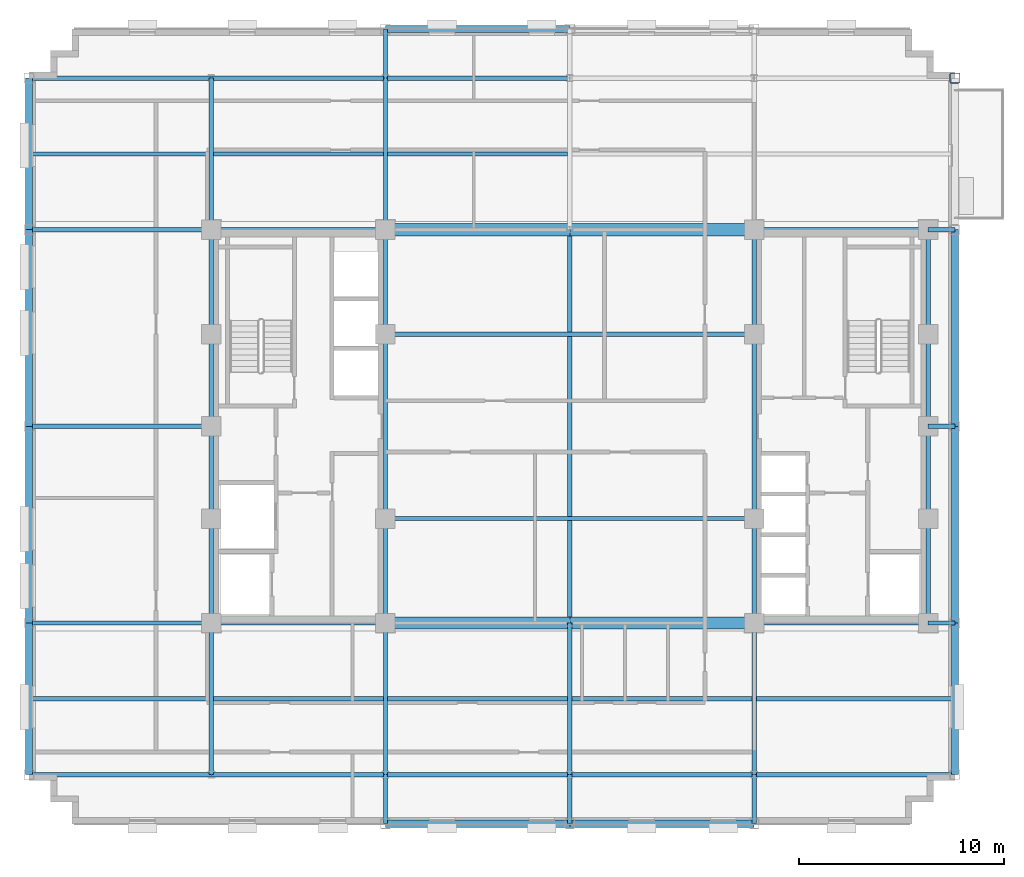
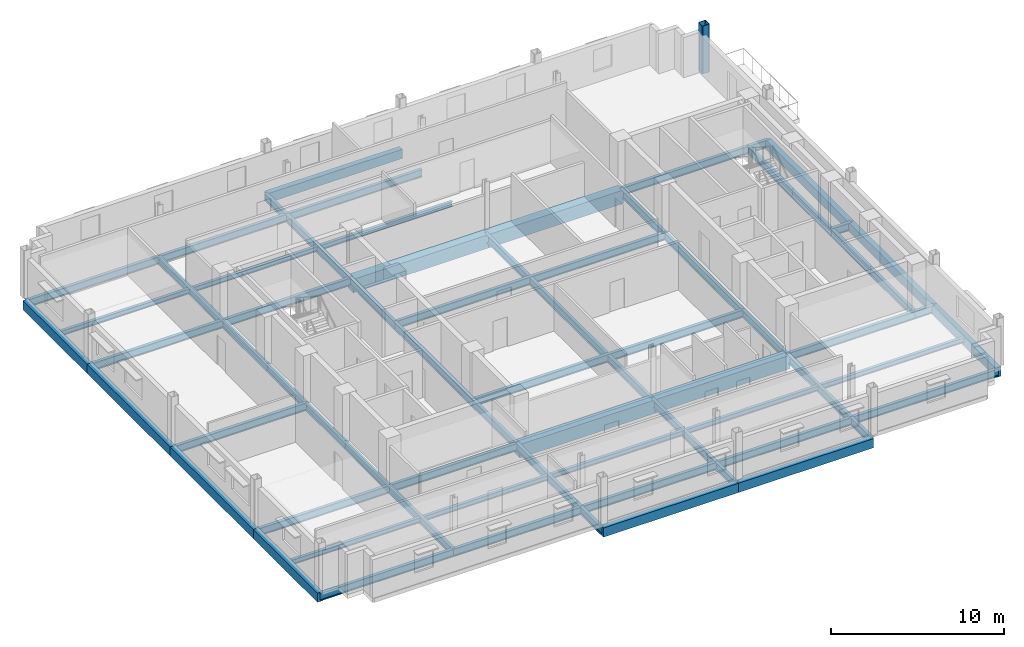
# One storey, part 4 of 13: 67 beams, 1 column.
"""IFC4 building model written with IfcOpenShell, lengths in metres."""

from ifc_helpers import new_model, si_unit, direction, frame, origin, origin_2d, place, context, subcontext, project, spatial, rectangle, hollow_rectangle, i_section, extrude, material, material_profile, profile_set, type_object, element, save


model = new_model("IFC4")

# Units and contexts
model_context = context("Model", 3, precision=1e-05, world=origin(), true_north=direction((0.0, 1.0)))
body_context = subcontext(model_context, "Body", "Model", "MODEL_VIEW")
ifc_project = project(units=[si_unit("LENGTHUNIT", "METRE"), si_unit("AREAUNIT", "SQUARE_METRE"), si_unit("VOLUMEUNIT", "CUBIC_METRE"), si_unit("PLANEANGLEUNIT", "RADIAN"), si_unit("MASSUNIT", "GRAM", prefix="KILO")], contexts=[model_context])

# Site, building, storey
site_placement = place(None, origin())
site = spatial("IfcSite", under=ifc_project, at=site_placement, CompositionType="ELEMENT")
building_placement = place(site_placement, origin())
building = spatial("IfcBuilding", under=site, at=building_placement, Name="Nuvemarco Arch Tower", CompositionType="ELEMENT")
storey_placement = place(building_placement, frame((0.0, 0.0, 220.10009765625)))
storey = spatial("IfcBuildingStorey", under=building, at=storey_placement, Name="L58", CompositionType="ELEMENT", Elevation=220.10009765625)

# Column
ifc_material_1 = material(Name="Steel S355", Category="steel")
ifc_material_profile_1 = material_profile(ifc_material_1, hollow_rectangle(XDim=0.5, YDim=0.5, WallThickness=0.031982421875, InnerFilletRadius=0.031982421875, OuterFilletRadius=0.06396484375, at=origin_2d()), Name="SHS500x500x32")
ifc_profile_set_1 = profile_set([ifc_material_profile_1], Name="Steel S355")
column_type = type_object("IfcColumnType", Name="COL-EXO-500", PredefinedType="COLUMN", material=ifc_profile_set_1)
column_placement = place(storey_placement, frame((18.800048828125, 17.0, 0.0), z_axis=(0.0, 0.0, 1.0), x_axis=(1.0, 0.0, 0.0)))
element("IfcColumn", 1, at=column_placement, inside=storey, type_object=column_type, Name="L58 column CX_+18.8_+17.0", PredefinedType="COLUMN", context=body_context, shape_type="SweptSolid", body=[
    extrude(hollow_rectangle(XDim=0.5, YDim=0.5, WallThickness=0.031982421875, InnerFilletRadius=0.031982421875, OuterFilletRadius=0.06396484375, at=origin_2d()), origin(), (0.0, 0.0, 1.0), 3.369873046875),
])

# Beams
ifc_material_2 = material(Name="Concrete C60/75", Category="concrete")
ifc_material_profile_2 = material_profile(ifc_material_2, rectangle(XDim=0.60009765625, YDim=0.949951171875, at=origin_2d()), Name="RC-BM-600x950")
ifc_profile_set_2 = profile_set([ifc_material_profile_2], Name="Concrete C60/75")
beam_type_1 = type_object("IfcBeamType", Name="BM-COUP-RC", PredefinedType="LINTEL", material=ifc_profile_set_2)
for number, where, z_axis, x_axis, name in (
    (2, (-9.0, -9.60009765625, -0.755126953125), (1.0, 0.0, 0.0), (0.0, 1.0, 0.0), "L58 structural beam BGEW_L58_0_-9.6_-9.0"),
    (3, (0.0, -9.60009765625, -0.755126953125), (1.0, 0.0, 0.0), (0.0, 1.0, 0.0), "L58 structural beam BGEW_L58_0_-9.6_+0.0"),
    (4, (-9.0, 9.60009765625, -0.755126953125), (1.0, 0.0, 0.0), (0.0, 1.0, 0.0), "L58 structural beam BGEW_L58_0_+9.6_-9.0"),
    (5, (0.0, 9.60009765625, -0.755126953125), (1.0, 0.0, 0.0), (0.0, 1.0, 0.0), "L58 structural beam BGEW_L58_0_+9.6_+0.0"),
):
    element("IfcBeam", number, at=place(storey_placement, frame(where, z_axis=z_axis, x_axis=x_axis)), inside=storey, type_object=beam_type_1, Name=name, PredefinedType="LINTEL", context=body_context, shape_type="SweptSolid", body=[
        extrude(rectangle(XDim=0.60009765625, YDim=0.949951171875, at=origin_2d()), origin(), (0.0, 0.0, 1.0), 9.0),
    ])
ifc_material_profile_3 = material_profile(ifc_material_1, i_section(OverallWidth=0.2109375, OverallDepth=0.5390625, WebThickness=0.01171875, FlangeThickness=0.018798828125, FilletRadius=0.01611328125, at=origin_2d()), Name="W530x109")
ifc_profile_set_3 = profile_set([ifc_material_profile_3], Name="Steel S355")
beam_type_2 = type_object("IfcBeamType", Name="BM-GIRD-530", PredefinedType="BEAM", material=ifc_profile_set_3)
beam_1_placement = place(storey_placement, frame((-17.5, -17.0, -0.549560546875), z_axis=(0.0, 1.0, 0.0), x_axis=(-1.0, 0.0, 0.0)))
element("IfcBeam", 6, at=beam_1_placement, inside=storey, type_object=beam_type_2, Name="L58 structural beam BGNS_L58_0_-17.5_-17.0", PredefinedType="BEAM", context=body_context, shape_type="SweptSolid", body=[
    extrude(i_section(OverallWidth=0.2109375, OverallDepth=0.5390625, WebThickness=0.01171875, FlangeThickness=0.018798828125, FilletRadius=0.01611328125, at=origin_2d()), origin(), (0.0, 0.0, 1.0), 7.39990234375),
])
beam_2_placement = place(storey_placement, frame((-17.5, -9.60009765625, -0.549560546875), z_axis=(0.0, 1.0, 0.0), x_axis=(-1.0, 0.0, 0.0)))
element("IfcBeam", 7, at=beam_2_placement, inside=storey, type_object=beam_type_2, Name="L58 structural beam BGNS_L58_0_-17.5_-9.6", PredefinedType="BEAM", context=body_context, shape_type="SweptSolid", body=[
    extrude(i_section(OverallWidth=0.2109375, OverallDepth=0.5390625, WebThickness=0.01171875, FlangeThickness=0.018798828125, FilletRadius=0.01611328125, at=origin_2d()), origin(), (0.0, 0.0, 1.0), 5.10009765625),
])
for number, where, z_axis, x_axis, name in (
    (8, (-17.5, -4.5, -0.549560546875), (0.0, 1.0, 0.0), (-1.0, 0.0, 0.0), "L58 structural beam BGNS_L58_0_-17.5_-4.5"),
    (9, (-17.5, 0.0, -0.549560546875), (0.0, 1.0, 0.0), (-1.0, 0.0, 0.0), "L58 structural beam BGNS_L58_0_-17.5_+0.0"),
):
    element("IfcBeam", number, at=place(storey_placement, frame(where, z_axis=z_axis, x_axis=x_axis)), inside=storey, type_object=beam_type_2, Name=name, PredefinedType="BEAM", context=body_context, shape_type="SweptSolid", body=[
        extrude(i_section(OverallWidth=0.2109375, OverallDepth=0.5390625, WebThickness=0.01171875, FlangeThickness=0.018798828125, FilletRadius=0.01611328125, at=origin_2d()), origin(), (0.0, 0.0, 1.0), 4.5),
    ])
beam_3_placement = place(storey_placement, frame((-17.5, 4.5, -0.549560546875), z_axis=(0.0, 1.0, 0.0), x_axis=(-1.0, 0.0, 0.0)))
element("IfcBeam", 10, at=beam_3_placement, inside=storey, type_object=beam_type_2, Name="L58 structural beam BGNS_L58_0_-17.5_+4.5", PredefinedType="BEAM", context=body_context, shape_type="SweptSolid", body=[
    extrude(i_section(OverallWidth=0.2109375, OverallDepth=0.5390625, WebThickness=0.01171875, FlangeThickness=0.018798828125, FilletRadius=0.01611328125, at=origin_2d()), origin(), (0.0, 0.0, 1.0), 5.10009765625),
])
beam_4_placement = place(storey_placement, frame((-17.5, 9.60009765625, -0.549560546875), z_axis=(0.0, 1.0, 0.0), x_axis=(-1.0, 0.0, 0.0)))
element("IfcBeam", 11, at=beam_4_placement, inside=storey, type_object=beam_type_2, Name="L58 structural beam BGNS_L58_0_-17.5_+9.6", PredefinedType="BEAM", context=body_context, shape_type="SweptSolid", body=[
    extrude(i_section(OverallWidth=0.2109375, OverallDepth=0.5390625, WebThickness=0.01171875, FlangeThickness=0.018798828125, FilletRadius=0.01611328125, at=origin_2d()), origin(), (0.0, 0.0, 1.0), 7.39990234375),
])
beam_5_placement = place(storey_placement, frame((-9.0, -19.39990234375, -0.549560546875), z_axis=(0.0, 1.0, 0.0), x_axis=(-1.0, 0.0, 0.0)))
element("IfcBeam", 12, at=beam_5_placement, inside=storey, type_object=beam_type_2, Name="L58 structural beam BGNS_L58_0_-9.0_-19.4", PredefinedType="BEAM", context=body_context, shape_type="SweptSolid", body=[
    extrude(i_section(OverallWidth=0.2109375, OverallDepth=0.5390625, WebThickness=0.01171875, FlangeThickness=0.018798828125, FilletRadius=0.01611328125, at=origin_2d()), origin(), (0.0, 0.0, 1.0), 2.39990234375),
])
beam_6_placement = place(storey_placement, frame((-9.0, -17.0, -0.549560546875), z_axis=(0.0, 1.0, 0.0), x_axis=(-1.0, 0.0, 0.0)))
element("IfcBeam", 13, at=beam_6_placement, inside=storey, type_object=beam_type_2, Name="L58 structural beam BGNS_L58_0_-9.0_-17.0", PredefinedType="BEAM", context=body_context, shape_type="SweptSolid", body=[
    extrude(i_section(OverallWidth=0.2109375, OverallDepth=0.5390625, WebThickness=0.01171875, FlangeThickness=0.018798828125, FilletRadius=0.01611328125, at=origin_2d()), origin(), (0.0, 0.0, 1.0), 7.39990234375),
])
beam_7_placement = place(storey_placement, frame((-9.0, -9.60009765625, -0.549560546875), z_axis=(0.0, 1.0, 0.0), x_axis=(-1.0, 0.0, 0.0)))
element("IfcBeam", 14, at=beam_7_placement, inside=storey, type_object=beam_type_2, Name="L58 structural beam BGNS_L58_0_-9.0_-9.6", PredefinedType="BEAM", context=body_context, shape_type="SweptSolid", body=[
    extrude(i_section(OverallWidth=0.2109375, OverallDepth=0.5390625, WebThickness=0.01171875, FlangeThickness=0.018798828125, FilletRadius=0.01611328125, at=origin_2d()), origin(), (0.0, 0.0, 1.0), 5.10009765625),
])
beam_8_placement = place(storey_placement, frame((-9.0, -4.5, -0.549560546875), z_axis=(0.0, 1.0, 0.0), x_axis=(-1.0, 0.0, 0.0)))
element("IfcBeam", 15, at=beam_8_placement, inside=storey, type_object=beam_type_2, Name="L58 structural beam BGNS_L58_0_-9.0_-4.5", PredefinedType="BEAM", context=body_context, shape_type="SweptSolid", body=[
    extrude(i_section(OverallWidth=0.2109375, OverallDepth=0.5390625, WebThickness=0.01171875, FlangeThickness=0.018798828125, FilletRadius=0.01611328125, at=origin_2d()), origin(), (0.0, 0.0, 1.0), 9.0),
])
beam_9_placement = place(storey_placement, frame((-9.0, 4.5, -0.549560546875), z_axis=(0.0, 1.0, 0.0), x_axis=(-1.0, 0.0, 0.0)))
element("IfcBeam", 16, at=beam_9_placement, inside=storey, type_object=beam_type_2, Name="L58 structural beam BGNS_L58_0_-9.0_+4.5", PredefinedType="BEAM", context=body_context, shape_type="SweptSolid", body=[
    extrude(i_section(OverallWidth=0.2109375, OverallDepth=0.5390625, WebThickness=0.01171875, FlangeThickness=0.018798828125, FilletRadius=0.01611328125, at=origin_2d()), origin(), (0.0, 0.0, 1.0), 5.10009765625),
])
beam_10_placement = place(storey_placement, frame((-9.0, 9.60009765625, -0.549560546875), z_axis=(0.0, 1.0, 0.0), x_axis=(-1.0, 0.0, 0.0)))
element("IfcBeam", 17, at=beam_10_placement, inside=storey, type_object=beam_type_2, Name="L58 structural beam BGNS_L58_0_-9.0_+9.6", PredefinedType="BEAM", context=body_context, shape_type="SweptSolid", body=[
    extrude(i_section(OverallWidth=0.2109375, OverallDepth=0.5390625, WebThickness=0.01171875, FlangeThickness=0.018798828125, FilletRadius=0.01611328125, at=origin_2d()), origin(), (0.0, 0.0, 1.0), 7.39990234375),
])
for number, where, z_axis, x_axis, name in (
    (18, (-9.0, 17.0, -0.549560546875), (0.0, 1.0, 0.0), (-1.0, 0.0, 0.0), "L58 structural beam BGNS_L58_0_-9.0_+17.0"),
    (19, (0.0, -19.39990234375, -0.549560546875), (0.0, 1.0, 0.0), (-1.0, 0.0, 0.0), "L58 structural beam BGNS_L58_0_+0.0_-19.4"),
):
    element("IfcBeam", number, at=place(storey_placement, frame(where, z_axis=z_axis, x_axis=x_axis)), inside=storey, type_object=beam_type_2, Name=name, PredefinedType="BEAM", context=body_context, shape_type="SweptSolid", body=[
        extrude(i_section(OverallWidth=0.2109375, OverallDepth=0.5390625, WebThickness=0.01171875, FlangeThickness=0.018798828125, FilletRadius=0.01611328125, at=origin_2d()), origin(), (0.0, 0.0, 1.0), 2.39990234375),
    ])
beam_11_placement = place(storey_placement, frame((0.0, -17.0, -0.549560546875), z_axis=(0.0, 1.0, 0.0), x_axis=(-1.0, 0.0, 0.0)))
element("IfcBeam", 20, at=beam_11_placement, inside=storey, type_object=beam_type_2, Name="L58 structural beam BGNS_L58_0_+0.0_-17.0", PredefinedType="BEAM", context=body_context, shape_type="SweptSolid", body=[
    extrude(i_section(OverallWidth=0.2109375, OverallDepth=0.5390625, WebThickness=0.01171875, FlangeThickness=0.018798828125, FilletRadius=0.01611328125, at=origin_2d()), origin(), (0.0, 0.0, 1.0), 7.39990234375),
])
beam_12_placement = place(storey_placement, frame((0.0, -9.60009765625, -0.549560546875), z_axis=(0.0, 1.0, 0.0), x_axis=(-1.0, 0.0, 0.0)))
element("IfcBeam", 21, at=beam_12_placement, inside=storey, type_object=beam_type_2, Name="L58 structural beam BGNS_L58_0_+0.0_-9.6", PredefinedType="BEAM", context=body_context, shape_type="SweptSolid", body=[
    extrude(i_section(OverallWidth=0.2109375, OverallDepth=0.5390625, WebThickness=0.01171875, FlangeThickness=0.018798828125, FilletRadius=0.01611328125, at=origin_2d()), origin(), (0.0, 0.0, 1.0), 19.2001953125),
])
beam_13_placement = place(storey_placement, frame((9.0, -19.39990234375, -0.549560546875), z_axis=(0.0, 1.0, 0.0), x_axis=(-1.0, 0.0, 0.0)))
element("IfcBeam", 22, at=beam_13_placement, inside=storey, type_object=beam_type_2, Name="L58 structural beam BGNS_L58_0_+9.0_-19.4", PredefinedType="BEAM", context=body_context, shape_type="SweptSolid", body=[
    extrude(i_section(OverallWidth=0.2109375, OverallDepth=0.5390625, WebThickness=0.01171875, FlangeThickness=0.018798828125, FilletRadius=0.01611328125, at=origin_2d()), origin(), (0.0, 0.0, 1.0), 2.39990234375),
])
beam_14_placement = place(storey_placement, frame((9.0, -17.0, -0.549560546875), z_axis=(0.0, 1.0, 0.0), x_axis=(-1.0, 0.0, 0.0)))
element("IfcBeam", 23, at=beam_14_placement, inside=storey, type_object=beam_type_2, Name="L58 structural beam BGNS_L58_0_+9.0_-17.0", PredefinedType="BEAM", context=body_context, shape_type="SweptSolid", body=[
    extrude(i_section(OverallWidth=0.2109375, OverallDepth=0.5390625, WebThickness=0.01171875, FlangeThickness=0.018798828125, FilletRadius=0.01611328125, at=origin_2d()), origin(), (0.0, 0.0, 1.0), 7.39990234375),
])
beam_15_placement = place(storey_placement, frame((9.0, -9.60009765625, -0.549560546875), z_axis=(0.0, 1.0, 0.0), x_axis=(-1.0, 0.0, 0.0)))
element("IfcBeam", 24, at=beam_15_placement, inside=storey, type_object=beam_type_2, Name="L58 structural beam BGNS_L58_0_+9.0_-9.6", PredefinedType="BEAM", context=body_context, shape_type="SweptSolid", body=[
    extrude(i_section(OverallWidth=0.2109375, OverallDepth=0.5390625, WebThickness=0.01171875, FlangeThickness=0.018798828125, FilletRadius=0.01611328125, at=origin_2d()), origin(), (0.0, 0.0, 1.0), 5.10009765625),
])
beam_16_placement = place(storey_placement, frame((9.0, -4.5, -0.549560546875), z_axis=(0.0, 1.0, 0.0), x_axis=(-1.0, 0.0, 0.0)))
element("IfcBeam", 25, at=beam_16_placement, inside=storey, type_object=beam_type_2, Name="L58 structural beam BGNS_L58_0_+9.0_-4.5", PredefinedType="BEAM", context=body_context, shape_type="SweptSolid", body=[
    extrude(i_section(OverallWidth=0.2109375, OverallDepth=0.5390625, WebThickness=0.01171875, FlangeThickness=0.018798828125, FilletRadius=0.01611328125, at=origin_2d()), origin(), (0.0, 0.0, 1.0), 9.0),
])
for number, where, z_axis, x_axis, name in (
    (26, (9.0, 4.5, -0.549560546875), (0.0, 1.0, 0.0), (-1.0, 0.0, 0.0), "L58 structural beam BGNS_L58_0_+9.0_+4.5"),
    (27, (17.5, -9.60009765625, -0.549560546875), (0.0, 1.0, 0.0), (-1.0, 0.0, 0.0), "L58 structural beam BGNS_L58_0_+17.5_-9.6"),
):
    element("IfcBeam", number, at=place(storey_placement, frame(where, z_axis=z_axis, x_axis=x_axis)), inside=storey, type_object=beam_type_2, Name=name, PredefinedType="BEAM", context=body_context, shape_type="SweptSolid", body=[
        extrude(i_section(OverallWidth=0.2109375, OverallDepth=0.5390625, WebThickness=0.01171875, FlangeThickness=0.018798828125, FilletRadius=0.01611328125, at=origin_2d()), origin(), (0.0, 0.0, 1.0), 5.10009765625),
    ])
for number, where, z_axis, x_axis, name in (
    (28, (17.5, -4.5, -0.549560546875), (0.0, 1.0, 0.0), (-1.0, 0.0, 0.0), "L58 structural beam BGNS_L58_0_+17.5_-4.5"),
    (29, (17.5, 0.0, -0.549560546875), (0.0, 1.0, 0.0), (-1.0, 0.0, 0.0), "L58 structural beam BGNS_L58_0_+17.5_+0.0"),
):
    element("IfcBeam", number, at=place(storey_placement, frame(where, z_axis=z_axis, x_axis=x_axis)), inside=storey, type_object=beam_type_2, Name=name, PredefinedType="BEAM", context=body_context, shape_type="SweptSolid", body=[
        extrude(i_section(OverallWidth=0.2109375, OverallDepth=0.5390625, WebThickness=0.01171875, FlangeThickness=0.018798828125, FilletRadius=0.01611328125, at=origin_2d()), origin(), (0.0, 0.0, 1.0), 4.5),
    ])
beam_17_placement = place(storey_placement, frame((17.5, 4.5, -0.549560546875), z_axis=(0.0, 1.0, 0.0), x_axis=(-1.0, 0.0, 0.0)))
element("IfcBeam", 30, at=beam_17_placement, inside=storey, type_object=beam_type_2, Name="L58 structural beam BGNS_L58_0_+17.5_+4.5", PredefinedType="BEAM", context=body_context, shape_type="SweptSolid", body=[
    extrude(i_section(OverallWidth=0.2109375, OverallDepth=0.5390625, WebThickness=0.01171875, FlangeThickness=0.018798828125, FilletRadius=0.01611328125, at=origin_2d()), origin(), (0.0, 0.0, 1.0), 5.10009765625),
])
beam_18_placement = place(storey_placement, frame((-26.39990234375, -17.0, -0.549560546875), z_axis=(1.0, 0.0, 0.0), x_axis=(0.0, 1.0, 0.0)))
element("IfcBeam", 31, at=beam_18_placement, inside=storey, type_object=beam_type_2, Name="L58 structural beam BGEW_L58_0_-17.0_-26.4", PredefinedType="BEAM", context=body_context, shape_type="SweptSolid", body=[
    extrude(i_section(OverallWidth=0.2109375, OverallDepth=0.5390625, WebThickness=0.01171875, FlangeThickness=0.018798828125, FilletRadius=0.01611328125, at=origin_2d()), origin(), (0.0, 0.0, 1.0), 8.89990234375),
])
beam_19_placement = place(storey_placement, frame((-17.5, -17.0, -0.549560546875), z_axis=(1.0, 0.0, 0.0), x_axis=(0.0, 1.0, 0.0)))
element("IfcBeam", 32, at=beam_19_placement, inside=storey, type_object=beam_type_2, Name="L58 structural beam BGEW_L58_0_-17.0_-17.5", PredefinedType="BEAM", context=body_context, shape_type="SweptSolid", body=[
    extrude(i_section(OverallWidth=0.2109375, OverallDepth=0.5390625, WebThickness=0.01171875, FlangeThickness=0.018798828125, FilletRadius=0.01611328125, at=origin_2d()), origin(), (0.0, 0.0, 1.0), 8.5),
])
for number, where, z_axis, x_axis, name in (
    (33, (-9.0, -17.0, -0.549560546875), (1.0, 0.0, 0.0), (0.0, 1.0, 0.0), "L58 structural beam BGEW_L58_0_-17.0_-9.0"),
    (34, (0.0, -17.0, -0.549560546875), (1.0, 0.0, 0.0), (0.0, 1.0, 0.0), "L58 structural beam BGEW_L58_0_-17.0_+0.0"),
):
    element("IfcBeam", number, at=place(storey_placement, frame(where, z_axis=z_axis, x_axis=x_axis)), inside=storey, type_object=beam_type_2, Name=name, PredefinedType="BEAM", context=body_context, shape_type="SweptSolid", body=[
        extrude(i_section(OverallWidth=0.2109375, OverallDepth=0.5390625, WebThickness=0.01171875, FlangeThickness=0.018798828125, FilletRadius=0.01611328125, at=origin_2d()), origin(), (0.0, 0.0, 1.0), 9.0),
    ])
beam_20_placement = place(storey_placement, frame((9.0, -17.0, -0.549560546875), z_axis=(1.0, 0.0, 0.0), x_axis=(0.0, 1.0, 0.0)))
element("IfcBeam", 35, at=beam_20_placement, inside=storey, type_object=beam_type_2, Name="L58 structural beam BGEW_L58_0_-17.0_+9.0", PredefinedType="BEAM", context=body_context, shape_type="SweptSolid", body=[
    extrude(i_section(OverallWidth=0.2109375, OverallDepth=0.5390625, WebThickness=0.01171875, FlangeThickness=0.018798828125, FilletRadius=0.01611328125, at=origin_2d()), origin(), (0.0, 0.0, 1.0), 9.800048828125),
])
beam_21_placement = place(storey_placement, frame((-26.39990234375, -9.60009765625, -0.549560546875), z_axis=(1.0, 0.0, 0.0), x_axis=(0.0, 1.0, 0.0)))
element("IfcBeam", 36, at=beam_21_placement, inside=storey, type_object=beam_type_2, Name="L58 structural beam BGEW_L58_0_-9.6_-26.4", PredefinedType="BEAM", context=body_context, shape_type="SweptSolid", body=[
    extrude(i_section(OverallWidth=0.2109375, OverallDepth=0.5390625, WebThickness=0.01171875, FlangeThickness=0.018798828125, FilletRadius=0.01611328125, at=origin_2d()), origin(), (0.0, 0.0, 1.0), 8.89990234375),
])
for number, where, z_axis, x_axis, name in (
    (37, (-17.5, -9.60009765625, -0.549560546875), (1.0, 0.0, 0.0), (0.0, 1.0, 0.0), "L58 structural beam BGEW_L58_0_-9.6_-17.5"),
    (38, (9.0, -9.60009765625, -0.549560546875), (1.0, 0.0, 0.0), (0.0, 1.0, 0.0), "L58 structural beam BGEW_L58_0_-9.6_+9.0"),
):
    element("IfcBeam", number, at=place(storey_placement, frame(where, z_axis=z_axis, x_axis=x_axis)), inside=storey, type_object=beam_type_2, Name=name, PredefinedType="BEAM", context=body_context, shape_type="SweptSolid", body=[
        extrude(i_section(OverallWidth=0.2109375, OverallDepth=0.5390625, WebThickness=0.01171875, FlangeThickness=0.018798828125, FilletRadius=0.01611328125, at=origin_2d()), origin(), (0.0, 0.0, 1.0), 8.5),
    ])
beam_22_placement = place(storey_placement, frame((17.5, -9.60009765625, -0.549560546875), z_axis=(1.0, 0.0, 0.0), x_axis=(0.0, 1.0, 0.0)))
element("IfcBeam", 39, at=beam_22_placement, inside=storey, type_object=beam_type_2, Name="L58 structural beam BGEW_L58_0_-9.6_+17.5", PredefinedType="BEAM", context=body_context, shape_type="SweptSolid", body=[
    extrude(i_section(OverallWidth=0.2109375, OverallDepth=0.5390625, WebThickness=0.01171875, FlangeThickness=0.018798828125, FilletRadius=0.01611328125, at=origin_2d()), origin(), (0.0, 0.0, 1.0), 1.300048828125),
])
beam_23_placement = place(storey_placement, frame((-9.0, -4.5, -0.549560546875), z_axis=(1.0, 0.0, 0.0), x_axis=(0.0, 1.0, 0.0)))
element("IfcBeam", 40, at=beam_23_placement, inside=storey, type_object=beam_type_2, Name="L58 structural beam BGEW_L58_0_-4.5_-9.0", PredefinedType="BEAM", context=body_context, shape_type="SweptSolid", body=[
    extrude(i_section(OverallWidth=0.2109375, OverallDepth=0.5390625, WebThickness=0.01171875, FlangeThickness=0.018798828125, FilletRadius=0.01611328125, at=origin_2d()), origin(), (0.0, 0.0, 1.0), 18.0),
])
beam_24_placement = place(storey_placement, frame((-26.39990234375, 0.0, -0.549560546875), z_axis=(1.0, 0.0, 0.0), x_axis=(0.0, 1.0, 0.0)))
element("IfcBeam", 41, at=beam_24_placement, inside=storey, type_object=beam_type_2, Name="L58 structural beam BGEW_L58_0_+0.0_-26.4", PredefinedType="BEAM", context=body_context, shape_type="SweptSolid", body=[
    extrude(i_section(OverallWidth=0.2109375, OverallDepth=0.5390625, WebThickness=0.01171875, FlangeThickness=0.018798828125, FilletRadius=0.01611328125, at=origin_2d()), origin(), (0.0, 0.0, 1.0), 8.89990234375),
])
beam_25_placement = place(storey_placement, frame((17.5, 0.0, -0.549560546875), z_axis=(1.0, 0.0, 0.0), x_axis=(0.0, 1.0, 0.0)))
element("IfcBeam", 42, at=beam_25_placement, inside=storey, type_object=beam_type_2, Name="L58 structural beam BGEW_L58_0_+0.0_+17.5", PredefinedType="BEAM", context=body_context, shape_type="SweptSolid", body=[
    extrude(i_section(OverallWidth=0.2109375, OverallDepth=0.5390625, WebThickness=0.01171875, FlangeThickness=0.018798828125, FilletRadius=0.01611328125, at=origin_2d()), origin(), (0.0, 0.0, 1.0), 1.300048828125),
])
beam_26_placement = place(storey_placement, frame((-9.0, 4.5, -0.549560546875), z_axis=(1.0, 0.0, 0.0), x_axis=(0.0, 1.0, 0.0)))
element("IfcBeam", 43, at=beam_26_placement, inside=storey, type_object=beam_type_2, Name="L58 structural beam BGEW_L58_0_+4.5_-9.0", PredefinedType="BEAM", context=body_context, shape_type="SweptSolid", body=[
    extrude(i_section(OverallWidth=0.2109375, OverallDepth=0.5390625, WebThickness=0.01171875, FlangeThickness=0.018798828125, FilletRadius=0.01611328125, at=origin_2d()), origin(), (0.0, 0.0, 1.0), 18.0),
])
beam_27_placement = place(storey_placement, frame((-26.39990234375, 9.60009765625, -0.549560546875), z_axis=(1.0, 0.0, 0.0), x_axis=(0.0, 1.0, 0.0)))
element("IfcBeam", 44, at=beam_27_placement, inside=storey, type_object=beam_type_2, Name="L58 structural beam BGEW_L58_0_+9.6_-26.4", PredefinedType="BEAM", context=body_context, shape_type="SweptSolid", body=[
    extrude(i_section(OverallWidth=0.2109375, OverallDepth=0.5390625, WebThickness=0.01171875, FlangeThickness=0.018798828125, FilletRadius=0.01611328125, at=origin_2d()), origin(), (0.0, 0.0, 1.0), 8.89990234375),
])
for number, where, z_axis, x_axis, name in (
    (45, (-17.5, 9.60009765625, -0.549560546875), (1.0, 0.0, 0.0), (0.0, 1.0, 0.0), "L58 structural beam BGEW_L58_0_+9.6_-17.5"),
    (46, (9.0, 9.60009765625, -0.549560546875), (1.0, 0.0, 0.0), (0.0, 1.0, 0.0), "L58 structural beam BGEW_L58_0_+9.6_+9.0"),
):
    element("IfcBeam", number, at=place(storey_placement, frame(where, z_axis=z_axis, x_axis=x_axis)), inside=storey, type_object=beam_type_2, Name=name, PredefinedType="BEAM", context=body_context, shape_type="SweptSolid", body=[
        extrude(i_section(OverallWidth=0.2109375, OverallDepth=0.5390625, WebThickness=0.01171875, FlangeThickness=0.018798828125, FilletRadius=0.01611328125, at=origin_2d()), origin(), (0.0, 0.0, 1.0), 8.5),
    ])
beam_28_placement = place(storey_placement, frame((17.5, 9.60009765625, -0.549560546875), z_axis=(1.0, 0.0, 0.0), x_axis=(0.0, 1.0, 0.0)))
element("IfcBeam", 47, at=beam_28_placement, inside=storey, type_object=beam_type_2, Name="L58 structural beam BGEW_L58_0_+9.6_+17.5", PredefinedType="BEAM", context=body_context, shape_type="SweptSolid", body=[
    extrude(i_section(OverallWidth=0.2109375, OverallDepth=0.5390625, WebThickness=0.01171875, FlangeThickness=0.018798828125, FilletRadius=0.01611328125, at=origin_2d()), origin(), (0.0, 0.0, 1.0), 1.300048828125),
])
beam_29_placement = place(storey_placement, frame((-26.39990234375, 17.0, -0.549560546875), z_axis=(1.0, 0.0, 0.0), x_axis=(0.0, 1.0, 0.0)))
element("IfcBeam", 48, at=beam_29_placement, inside=storey, type_object=beam_type_2, Name="L58 structural beam BGEW_L58_0_+17.0_-26.4", PredefinedType="BEAM", context=body_context, shape_type="SweptSolid", body=[
    extrude(i_section(OverallWidth=0.2109375, OverallDepth=0.5390625, WebThickness=0.01171875, FlangeThickness=0.018798828125, FilletRadius=0.01611328125, at=origin_2d()), origin(), (0.0, 0.0, 1.0), 8.89990234375),
])
beam_30_placement = place(storey_placement, frame((-17.5, 17.0, -0.549560546875), z_axis=(1.0, 0.0, 0.0), x_axis=(0.0, 1.0, 0.0)))
element("IfcBeam", 49, at=beam_30_placement, inside=storey, type_object=beam_type_2, Name="L58 structural beam BGEW_L58_0_+17.0_-17.5", PredefinedType="BEAM", context=body_context, shape_type="SweptSolid", body=[
    extrude(i_section(OverallWidth=0.2109375, OverallDepth=0.5390625, WebThickness=0.01171875, FlangeThickness=0.018798828125, FilletRadius=0.01611328125, at=origin_2d()), origin(), (0.0, 0.0, 1.0), 8.5),
])
beam_31_placement = place(storey_placement, frame((-9.0, 17.0, -0.549560546875), z_axis=(1.0, 0.0, 0.0), x_axis=(0.0, 1.0, 0.0)))
element("IfcBeam", 50, at=beam_31_placement, inside=storey, type_object=beam_type_2, Name="L58 structural beam BGEW_L58_0_+17.0_-9.0", PredefinedType="BEAM", context=body_context, shape_type="SweptSolid", body=[
    extrude(i_section(OverallWidth=0.2109375, OverallDepth=0.5390625, WebThickness=0.01171875, FlangeThickness=0.018798828125, FilletRadius=0.01611328125, at=origin_2d()), origin(), (0.0, 0.0, 1.0), 9.0),
])
ifc_material_profile_4 = material_profile(ifc_material_1, i_section(OverallWidth=0.202880859375, OverallDepth=0.346923828125, WebThickness=0.0078125, FlangeThickness=0.013427734375, FilletRadius=0.014892578125, at=origin_2d()), Name="W360x64")
ifc_profile_set_4 = profile_set([ifc_material_profile_4], Name="Steel S355")
beam_type_3 = type_object("IfcBeamType", Name="BM-JOIST-360", PredefinedType="JOIST", material=ifc_profile_set_4)
beam_32_placement = place(storey_placement, frame((-26.22509765625, -13.300048828125, -0.45361328125), z_axis=(1.0, 0.0, 0.0), x_axis=(0.0, 1.0, 0.0)))
element("IfcBeam", 51, at=beam_32_placement, inside=storey, type_object=beam_type_3, Name="L58 structural beam BJ_L58_0_-13.3_-26.4", PredefinedType="JOIST", context=body_context, shape_type="SweptSolid", body=[
    extrude(i_section(OverallWidth=0.202880859375, OverallDepth=0.346923828125, WebThickness=0.0078125, FlangeThickness=0.013427734375, FilletRadius=0.014892578125, at=origin_2d()), origin(), (0.0, 0.0, 1.0), 8.61962890625),
])
beam_33_placement = place(storey_placement, frame((-17.39453125, -13.300048828125, -0.45361328125), z_axis=(1.0, 0.0, 0.0), x_axis=(0.0, 1.0, 0.0)))
element("IfcBeam", 52, at=beam_33_placement, inside=storey, type_object=beam_type_3, Name="L58 structural beam BJ_L58_0_-13.3_-17.5", PredefinedType="JOIST", context=body_context, shape_type="SweptSolid", body=[
    extrude(i_section(OverallWidth=0.202880859375, OverallDepth=0.346923828125, WebThickness=0.0078125, FlangeThickness=0.013427734375, FilletRadius=0.014892578125, at=origin_2d()), origin(), (0.0, 0.0, 1.0), 8.2890625),
])
for number, where, z_axis, x_axis, name in (
    (53, (-8.89453125, -13.300048828125, -0.45361328125), (1.0, 0.0, 0.0), (0.0, 1.0, 0.0), "L58 structural beam BJ_L58_0_-13.3_-9.0"),
    (54, (0.10546875, -13.300048828125, -0.45361328125), (1.0, 0.0, 0.0), (0.0, 1.0, 0.0), "L58 structural beam BJ_L58_0_-13.3_+0.0"),
):
    element("IfcBeam", number, at=place(storey_placement, frame(where, z_axis=z_axis, x_axis=x_axis)), inside=storey, type_object=beam_type_3, Name=name, PredefinedType="JOIST", context=body_context, shape_type="SweptSolid", body=[
        extrude(i_section(OverallWidth=0.202880859375, OverallDepth=0.346923828125, WebThickness=0.0078125, FlangeThickness=0.013427734375, FilletRadius=0.014892578125, at=origin_2d()), origin(), (0.0, 0.0, 1.0), 8.7890625),
    ])
beam_34_placement = place(storey_placement, frame((9.10546875, -13.300048828125, -0.45361328125), z_axis=(1.0, 0.0, 0.0), x_axis=(0.0, 1.0, 0.0)))
element("IfcBeam", 55, at=beam_34_placement, inside=storey, type_object=beam_type_3, Name="L58 structural beam BJ_L58_0_-13.3_+9.0", PredefinedType="JOIST", context=body_context, shape_type="SweptSolid", body=[
    extrude(i_section(OverallWidth=0.202880859375, OverallDepth=0.346923828125, WebThickness=0.0078125, FlangeThickness=0.013427734375, FilletRadius=0.014892578125, at=origin_2d()), origin(), (0.0, 0.0, 1.0), 9.51953125),
])
beam_35_placement = place(storey_placement, frame((-26.22509765625, 13.300048828125, -0.45361328125), z_axis=(1.0, 0.0, 0.0), x_axis=(0.0, 1.0, 0.0)))
element("IfcBeam", 56, at=beam_35_placement, inside=storey, type_object=beam_type_3, Name="L58 structural beam BJ_L58_0_+13.3_-26.4", PredefinedType="JOIST", context=body_context, shape_type="SweptSolid", body=[
    extrude(i_section(OverallWidth=0.202880859375, OverallDepth=0.346923828125, WebThickness=0.0078125, FlangeThickness=0.013427734375, FilletRadius=0.014892578125, at=origin_2d()), origin(), (0.0, 0.0, 1.0), 8.61962890625),
])
beam_36_placement = place(storey_placement, frame((-17.39453125, 13.300048828125, -0.45361328125), z_axis=(1.0, 0.0, 0.0), x_axis=(0.0, 1.0, 0.0)))
element("IfcBeam", 57, at=beam_36_placement, inside=storey, type_object=beam_type_3, Name="L58 structural beam BJ_L58_0_+13.3_-17.5", PredefinedType="JOIST", context=body_context, shape_type="SweptSolid", body=[
    extrude(i_section(OverallWidth=0.202880859375, OverallDepth=0.346923828125, WebThickness=0.0078125, FlangeThickness=0.013427734375, FilletRadius=0.014892578125, at=origin_2d()), origin(), (0.0, 0.0, 1.0), 8.2890625),
])
beam_37_placement = place(storey_placement, frame((-8.89453125, 13.300048828125, -0.45361328125), z_axis=(1.0, 0.0, 0.0), x_axis=(0.0, 1.0, 0.0)))
element("IfcBeam", 58, at=beam_37_placement, inside=storey, type_object=beam_type_3, Name="L58 structural beam BJ_L58_0_+13.3_-9.0", PredefinedType="JOIST", context=body_context, shape_type="SweptSolid", body=[
    extrude(i_section(OverallWidth=0.202880859375, OverallDepth=0.346923828125, WebThickness=0.0078125, FlangeThickness=0.013427734375, FilletRadius=0.014892578125, at=origin_2d()), origin(), (0.0, 0.0, 1.0), 8.7890625),
])
ifc_material_3 = material(Name="Precast concrete C45/55", Category="concrete")
ifc_material_profile_5 = material_profile(ifc_material_3, rectangle(XDim=0.35009765625, YDim=0.64990234375, at=origin_2d()), Name="PC-SP-350x650")
ifc_profile_set_5 = profile_set([ifc_material_profile_5], Name="Precast concrete C45/55")
beam_type_4 = type_object("IfcBeamType", Name="BM-SPAN-RC", PredefinedType="SPANDREL", material=ifc_profile_set_5)
beam_38_placement = place(storey_placement, frame((-26.39990234375, -17.0, -0.60498046875), z_axis=(0.0, 1.0, 0.0), x_axis=(-1.0, 0.0, 0.0)))
element("IfcBeam", 59, at=beam_38_placement, inside=storey, type_object=beam_type_4, Name="L58 structural beam BGNS_L58_0_-26.4_-17.0", PredefinedType="SPANDREL", context=body_context, shape_type="SweptSolid", body=[
    extrude(rectangle(XDim=0.35009765625, YDim=0.64990234375, at=origin_2d()), origin(), (0.0, 0.0, 1.0), 7.39990234375),
])
for number, where, z_axis, x_axis, name in (
    (60, (-26.39990234375, -9.60009765625, -0.60498046875), (0.0, 1.0, 0.0), (-1.0, 0.0, 0.0), "L58 structural beam BGNS_L58_0_-26.4_-9.6"),
    (61, (-26.39990234375, 0.0, -0.60498046875), (0.0, 1.0, 0.0), (-1.0, 0.0, 0.0), "L58 structural beam BGNS_L58_0_-26.4_+0.0"),
):
    element("IfcBeam", number, at=place(storey_placement, frame(where, z_axis=z_axis, x_axis=x_axis)), inside=storey, type_object=beam_type_4, Name=name, PredefinedType="SPANDREL", context=body_context, shape_type="SweptSolid", body=[
        extrude(rectangle(XDim=0.35009765625, YDim=0.64990234375, at=origin_2d()), origin(), (0.0, 0.0, 1.0), 9.60009765625),
    ])
for number, where, z_axis, x_axis, name in (
    (62, (-26.39990234375, 9.60009765625, -0.60498046875), (0.0, 1.0, 0.0), (-1.0, 0.0, 0.0), "L58 structural beam BGNS_L58_0_-26.4_+9.6"),
    (63, (18.800048828125, -17.0, -0.60498046875), (0.0, 1.0, 0.0), (-1.0, 0.0, 0.0), "L58 structural beam BGNS_L58_0_+18.8_-17.0"),
):
    element("IfcBeam", number, at=place(storey_placement, frame(where, z_axis=z_axis, x_axis=x_axis)), inside=storey, type_object=beam_type_4, Name=name, PredefinedType="SPANDREL", context=body_context, shape_type="SweptSolid", body=[
        extrude(rectangle(XDim=0.35009765625, YDim=0.64990234375, at=origin_2d()), origin(), (0.0, 0.0, 1.0), 7.39990234375),
    ])
for number, where, z_axis, x_axis, name in (
    (64, (18.800048828125, -9.60009765625, -0.60498046875), (0.0, 1.0, 0.0), (-1.0, 0.0, 0.0), "L58 structural beam BGNS_L58_0_+18.8_-9.6"),
    (65, (18.800048828125, 0.0, -0.60498046875), (0.0, 1.0, 0.0), (-1.0, 0.0, 0.0), "L58 structural beam BGNS_L58_0_+18.8_+0.0"),
):
    element("IfcBeam", number, at=place(storey_placement, frame(where, z_axis=z_axis, x_axis=x_axis)), inside=storey, type_object=beam_type_4, Name=name, PredefinedType="SPANDREL", context=body_context, shape_type="SweptSolid", body=[
        extrude(rectangle(XDim=0.35009765625, YDim=0.64990234375, at=origin_2d()), origin(), (0.0, 0.0, 1.0), 9.60009765625),
    ])
for number, where, z_axis, x_axis, name in (
    (66, (-9.0, -19.39990234375, -0.60498046875), (1.0, 0.0, 0.0), (0.0, 1.0, 0.0), "L58 structural beam BGEW_L58_0_-19.4_-9.0"),
    (67, (0.0, -19.39990234375, -0.60498046875), (1.0, 0.0, 0.0), (0.0, 1.0, 0.0), "L58 structural beam BGEW_L58_0_-19.4_+0.0"),
    (68, (-9.0, 19.39990234375, -0.60498046875), (1.0, 0.0, 0.0), (0.0, 1.0, 0.0), "L58 structural beam BGEW_L58_0_+19.4_-9.0"),
):
    element("IfcBeam", number, at=place(storey_placement, frame(where, z_axis=z_axis, x_axis=x_axis)), inside=storey, type_object=beam_type_4, Name=name, PredefinedType="SPANDREL", context=body_context, shape_type="SweptSolid", body=[
        extrude(rectangle(XDim=0.35009765625, YDim=0.64990234375, at=origin_2d()), origin(), (0.0, 0.0, 1.0), 9.0),
    ])

save(model, "model.ifc")
